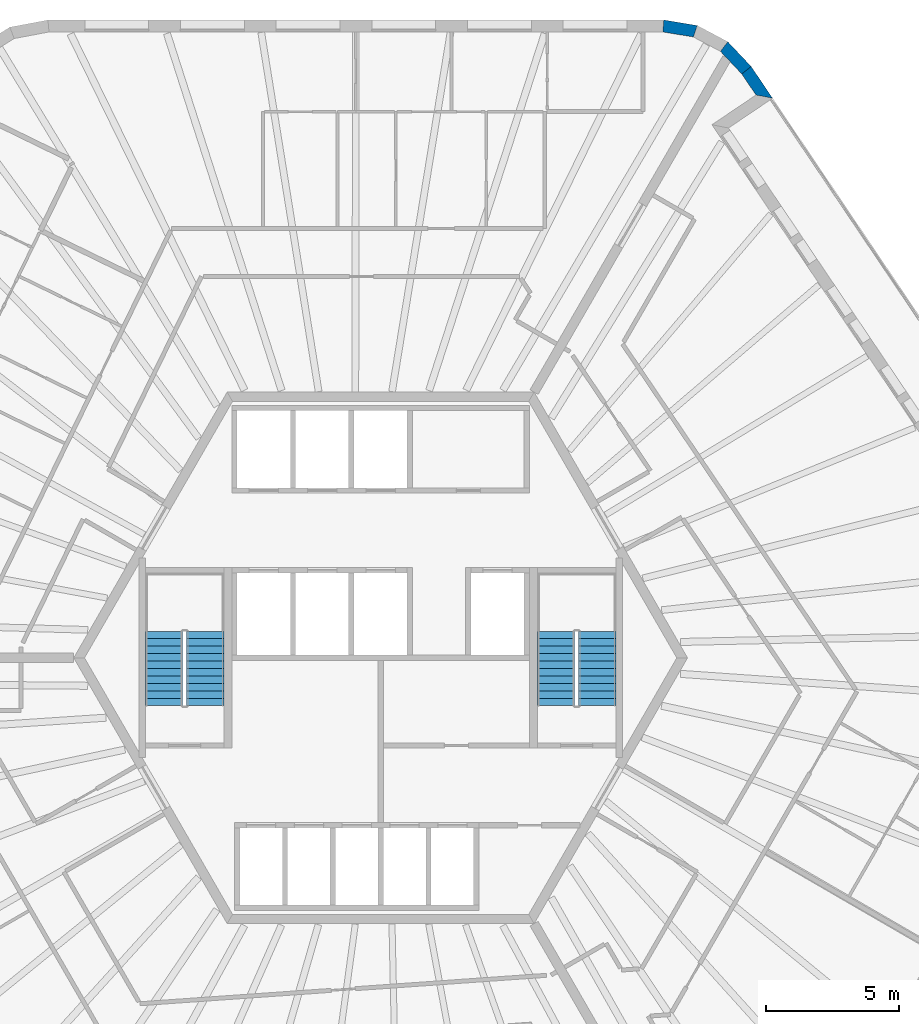
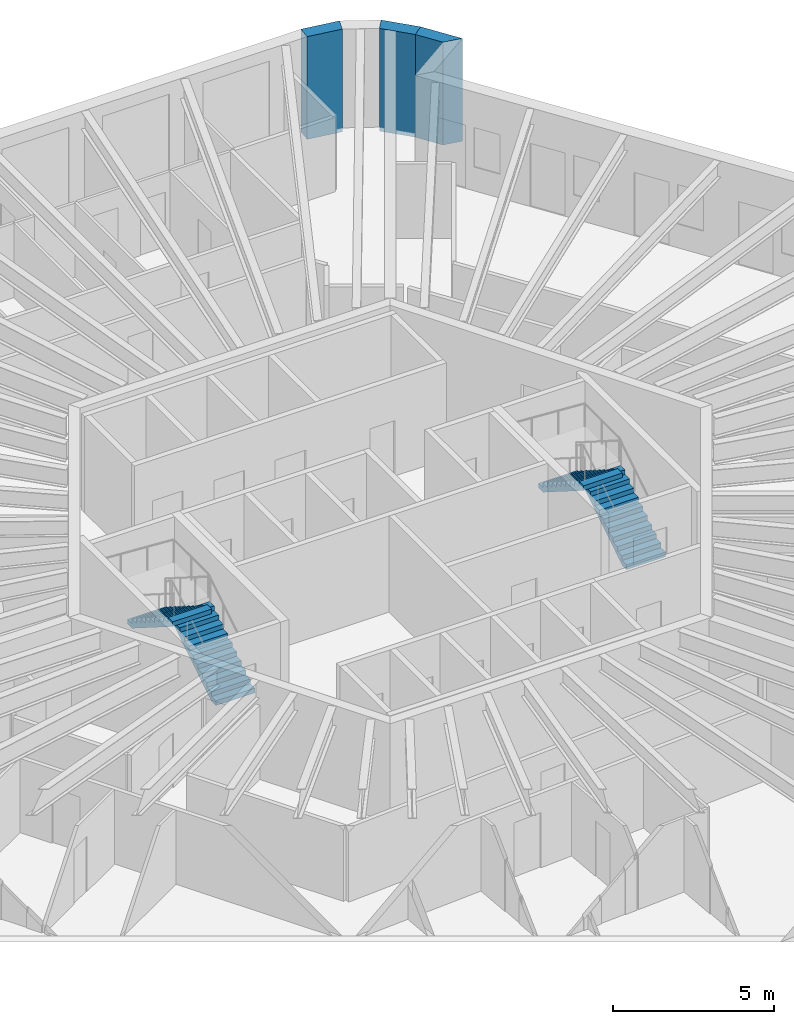
# One storey, part 10 of 11: 4 stair flights, 3 walls, 2 elements without a shape of their own.
"""IFC4 building model written with IfcOpenShell, lengths in metres."""

from ifc_helpers import new_model, si_unit, direction, frame, origin, place, context, subcontext, project, spatial, polyline, outline, extrude, material, layer, layer_set, type_object, element, aggregate, save


model = new_model("IFC4")

# Units and contexts
model_context = context("Model", 3, precision=1e-05, world=origin(), true_north=direction((0.0, 1.0)))
body_context = subcontext(model_context, "Body", "Model", "MODEL_VIEW")
ifc_project = project(units=[si_unit("LENGTHUNIT", "METRE"), si_unit("AREAUNIT", "SQUARE_METRE"), si_unit("VOLUMEUNIT", "CUBIC_METRE"), si_unit("PLANEANGLEUNIT", "RADIAN"), si_unit("MASSUNIT", "GRAM", prefix="KILO")], contexts=[model_context])

# Site, building, storey
site_placement = place(None, origin())
site = spatial("IfcSite", under=ifc_project, at=site_placement, CompositionType="ELEMENT")
building_placement = place(site_placement, origin())
building = spatial("IfcBuilding", under=site, at=building_placement, Name="Tarnside Tower", CompositionType="ELEMENT")
storey_placement = place(building_placement, frame((0.0, 0.0, 365.10009765625)))
storey = spatial("IfcBuildingStorey", under=building, at=storey_placement, Name="L88", CompositionType="ELEMENT", Elevation=365.10009765625)

# Walls
ifc_material_1 = material(Name="Dark zinc cladding")
ifc_layer_1 = layer(ifc_material_1, 0.10205078125)
ifc_material_2 = material(Name="Concrete C60/75 precast", Category="concrete")
ifc_layer_2 = layer(ifc_material_2, 0.248046875)
ifc_material_3 = material(Name="Mineral wool insulation")
ifc_layer_3 = layer(ifc_material_3, 0.10009765625)
ifc_layer_set_1 = layer_set([ifc_layer_1, ifc_layer_2, ifc_layer_3], Name="Loggia wall 450 zinc faced")
wall_type_1 = type_object("IfcWallType", Name="Loggia wall 450 zinc faced", PredefinedType="SOLIDWALL", material=ifc_layer_set_1)
wall_1_placement = place(storey_placement, frame((14.434814453125, 21.1162109375, -0.150146484375), z_axis=(0.0, 0.0, 1.0), x_axis=(-0.559200218553, 0.829032638423, 0.0)))
element("IfcWall", 1, at=wall_1_placement, inside=storey, type_object=wall_type_1, Name="Tube wall L88 F6 stub 32", PredefinedType="SOLIDWALL", context=body_context, shape_type="SweptSolid", body=[
    extrude(outline(polyline([(-0.224853515625, -0.22509765625), (1.218017578125, -0.22509765625), (1.181396484375, 0.22509765625), (0.224853515625, 0.22509765625), (-0.224853515625, -0.22509765625)])), origin(), (0.0, 0.0, 1.0), 3.900146484375),
])
ifc_material_4 = material(Name="Facing brick", Category="masonry")
ifc_layer_4 = layer(ifc_material_4, 0.10205078125)
ifc_layer_5 = layer(ifc_material_2, 0.248046875)
ifc_layer_6 = layer(ifc_material_3, 0.10009765625)
ifc_layer_set_2 = layer_set([ifc_layer_4, ifc_layer_5, ifc_layer_6], Name="Tube wall 450 brick faced")
wall_type_2 = type_object("IfcWallType", Name="Tube wall 450 brick faced", PredefinedType="SOLIDWALL", material=ifc_layer_set_2)
wall_2_placement = place(storey_placement, frame((13.763916015625, 22.11083984375, -0.150146484375), z_axis=(0.0, 0.0, 1.0), x_axis=(-0.686272176549, 0.727344828603, 0.0)))
element("IfcWall", 2, at=wall_2_placement, inside=storey, type_object=wall_type_2, Name="Tube wall L88 F6 chord 33", PredefinedType="SOLIDWALL", context=body_context, shape_type="SweptSolid", body=[
    extrude(outline(polyline([(-0.018310546875, -0.22509765625), (1.261474609375, -0.22509765625), (1.187744140625, 0.22509765625), (0.018310546875, 0.22509765625), (-0.018310546875, -0.22509765625)])), origin(), (0.0, 0.0, 1.0), 3.900146484375),
])
wall_3_placement = place(storey_placement, frame((11.842529296875, 23.576416015625, -0.150146484375), z_axis=(0.0, 0.0, 1.0), x_axis=(-0.986773862881, 0.162102879475, 0.0)))
element("IfcWall", 3, at=wall_3_placement, inside=storey, type_object=wall_type_2, Name="Tube wall L88 F6 chord 35", PredefinedType="SOLIDWALL", context=body_context, shape_type="SweptSolid", body=[
    extrude(outline(polyline([(-0.036865234375, -0.22509765625), (1.24267578125, -0.22509765625), (1.2060546875, 0.22509765625), (0.036865234375, 0.22509765625), (-0.036865234375, -0.22509765625)])), origin(), (0.0, 0.0, 1.0), 3.900146484375),
])

# Stair, stair flights
ifc_material_5 = material(Name="Concrete C40/50", Category="concrete")
stair_type = type_object("IfcStairType", Name="Exit stair 1400 clear", PredefinedType="HALF_TURN_STAIR", material=ifc_material_5)
stair_1_placement = place(storey_placement, origin())
stair_1 = element("IfcStair", 4, at=stair_1_placement, inside=storey, type_object=stair_type, Name="L88 Exit stair 1", PredefinedType="HALF_TURN_STAIR")
stair_flight_type = type_object("IfcStairFlightType", Name="Exit stair flight 1400", PredefinedType="STRAIGHT", material=ifc_material_5)
stair_flight_1_placement = place(storey_placement, frame((8.14990234375, -1.800048828125, 0.0), z_axis=(0.0, 0.0, 1.0), x_axis=(0.0, 1.0, 0.0)))
stair_flight_1 = element("IfcStairFlight", 5, at=stair_flight_1_placement, type_object=stair_flight_type, Name="ST1 flight 1", NumberOfRisers=11, NumberOfTreads=10, PredefinedType="STRAIGHT", RiserHeight=0.177272727, TreadLength=0.28, context=body_context, shape_type="SweptSolid", body=[
    extrude(outline(polyline([(0.0, 0.0), (0.0, 0.17724609375), (0.280029296875, 0.17724609375), (0.280029296875, 0.3544921875), (0.56005859375, 0.3544921875), (0.56005859375, 0.53173828125), (0.840087890625, 0.53173828125), (0.840087890625, 0.708984375), (1.1201171875, 0.708984375), (1.1201171875, 0.886474609375), (1.39990234375, 0.886474609375), (1.39990234375, 1.063720703125), (1.679931640625, 1.063720703125), (1.679931640625, 1.240966796875), (1.9599609375, 1.240966796875), (1.9599609375, 1.418212890625), (2.239990234375, 1.418212890625), (2.239990234375, 1.595458984375), (2.52001953125, 1.595458984375), (2.52001953125, 1.772705078125), (2.800048828125, 1.772705078125), (2.800048828125, 1.949951171875), (2.800048828125, 1.59521484375), (0.2802734375, 0.0), (0.0, 0.0)])), frame((0.0, 0.699951171875, 0.0), z_axis=(0.0, -1.0, 0.0), x_axis=(1.0, 0.0, 0.0)), (0.0, 0.0, 1.0), 1.39990234375),
])
stair_flight_2_placement = place(storey_placement, frame((6.60009765625, 1.0, 1.949951171875), z_axis=(0.0, 0.0, 1.0), x_axis=(0.0, -1.0, 0.0)))
stair_flight_2 = element("IfcStairFlight", 6, at=stair_flight_2_placement, type_object=stair_flight_type, Name="ST1 flight 2", NumberOfRisers=11, NumberOfTreads=10, PredefinedType="STRAIGHT", RiserHeight=0.177272727, TreadLength=0.28, context=body_context, shape_type="SweptSolid", body=[
    extrude(outline(polyline([(0.0, 0.0), (0.0, 0.17724609375), (0.280029296875, 0.17724609375), (0.280029296875, 0.3544921875), (0.56005859375, 0.3544921875), (0.56005859375, 0.53173828125), (0.840087890625, 0.53173828125), (0.840087890625, 0.708984375), (1.1201171875, 0.708984375), (1.1201171875, 0.886474609375), (1.39990234375, 0.886474609375), (1.39990234375, 1.063720703125), (1.679931640625, 1.063720703125), (1.679931640625, 1.240966796875), (1.9599609375, 1.240966796875), (1.9599609375, 1.418212890625), (2.239990234375, 1.418212890625), (2.239990234375, 1.595458984375), (2.52001953125, 1.595458984375), (2.52001953125, 1.772705078125), (2.800048828125, 1.772705078125), (2.800048828125, 1.949951171875), (2.800048828125, 1.59521484375), (0.2802734375, 0.0), (0.0, 0.0)])), frame((0.0, 0.699951171875, 0.0), z_axis=(0.0, -1.0, 0.0), x_axis=(1.0, 0.0, 0.0)), (0.0, 0.0, 1.0), 1.39990234375),
])
aggregate(stair_1, [stair_flight_1, stair_flight_2])

stair_2_placement = place(storey_placement, origin())
stair_2 = element("IfcStair", 7, at=stair_2_placement, inside=storey, type_object=stair_type, Name="L88 Exit stair 2", PredefinedType="HALF_TURN_STAIR")
stair_flight_3_placement = place(storey_placement, frame((-6.60009765625, -1.800048828125, 0.0), z_axis=(0.0, 0.0, 1.0), x_axis=(0.0, 1.0, 0.0)))
stair_flight_3 = element("IfcStairFlight", 8, at=stair_flight_3_placement, type_object=stair_flight_type, Name="ST2 flight 1", NumberOfRisers=11, NumberOfTreads=10, PredefinedType="STRAIGHT", RiserHeight=0.177272727, TreadLength=0.28, context=body_context, shape_type="SweptSolid", body=[
    extrude(outline(polyline([(0.0, 0.0), (0.0, 0.17724609375), (0.280029296875, 0.17724609375), (0.280029296875, 0.3544921875), (0.56005859375, 0.3544921875), (0.56005859375, 0.53173828125), (0.840087890625, 0.53173828125), (0.840087890625, 0.708984375), (1.1201171875, 0.708984375), (1.1201171875, 0.886474609375), (1.39990234375, 0.886474609375), (1.39990234375, 1.063720703125), (1.679931640625, 1.063720703125), (1.679931640625, 1.240966796875), (1.9599609375, 1.240966796875), (1.9599609375, 1.418212890625), (2.239990234375, 1.418212890625), (2.239990234375, 1.595458984375), (2.52001953125, 1.595458984375), (2.52001953125, 1.772705078125), (2.800048828125, 1.772705078125), (2.800048828125, 1.949951171875), (2.800048828125, 1.59521484375), (0.2802734375, 0.0), (0.0, 0.0)])), frame((0.0, 0.699951171875, 0.0), z_axis=(0.0, -1.0, 0.0), x_axis=(1.0, 0.0, 0.0)), (0.0, 0.0, 1.0), 1.39990234375),
])
stair_flight_4_placement = place(storey_placement, frame((-8.14990234375, 1.0, 1.949951171875), z_axis=(0.0, 0.0, 1.0), x_axis=(0.0, -1.0, 0.0)))
stair_flight_4 = element("IfcStairFlight", 9, at=stair_flight_4_placement, type_object=stair_flight_type, Name="ST2 flight 2", NumberOfRisers=11, NumberOfTreads=10, PredefinedType="STRAIGHT", RiserHeight=0.177272727, TreadLength=0.28, context=body_context, shape_type="SweptSolid", body=[
    extrude(outline(polyline([(0.0, 0.0), (0.0, 0.17724609375), (0.280029296875, 0.17724609375), (0.280029296875, 0.3544921875), (0.56005859375, 0.3544921875), (0.56005859375, 0.53173828125), (0.840087890625, 0.53173828125), (0.840087890625, 0.708984375), (1.1201171875, 0.708984375), (1.1201171875, 0.886474609375), (1.39990234375, 0.886474609375), (1.39990234375, 1.063720703125), (1.679931640625, 1.063720703125), (1.679931640625, 1.240966796875), (1.9599609375, 1.240966796875), (1.9599609375, 1.418212890625), (2.239990234375, 1.418212890625), (2.239990234375, 1.595458984375), (2.52001953125, 1.595458984375), (2.52001953125, 1.772705078125), (2.800048828125, 1.772705078125), (2.800048828125, 1.949951171875), (2.800048828125, 1.59521484375), (0.2802734375, 0.0), (0.0, 0.0)])), frame((0.0, 0.699951171875, 0.0), z_axis=(0.0, -1.0, 0.0), x_axis=(1.0, 0.0, 0.0)), (0.0, 0.0, 1.0), 1.39990234375),
])
aggregate(stair_2, [stair_flight_3, stair_flight_4])

save(model, "model.ifc")
